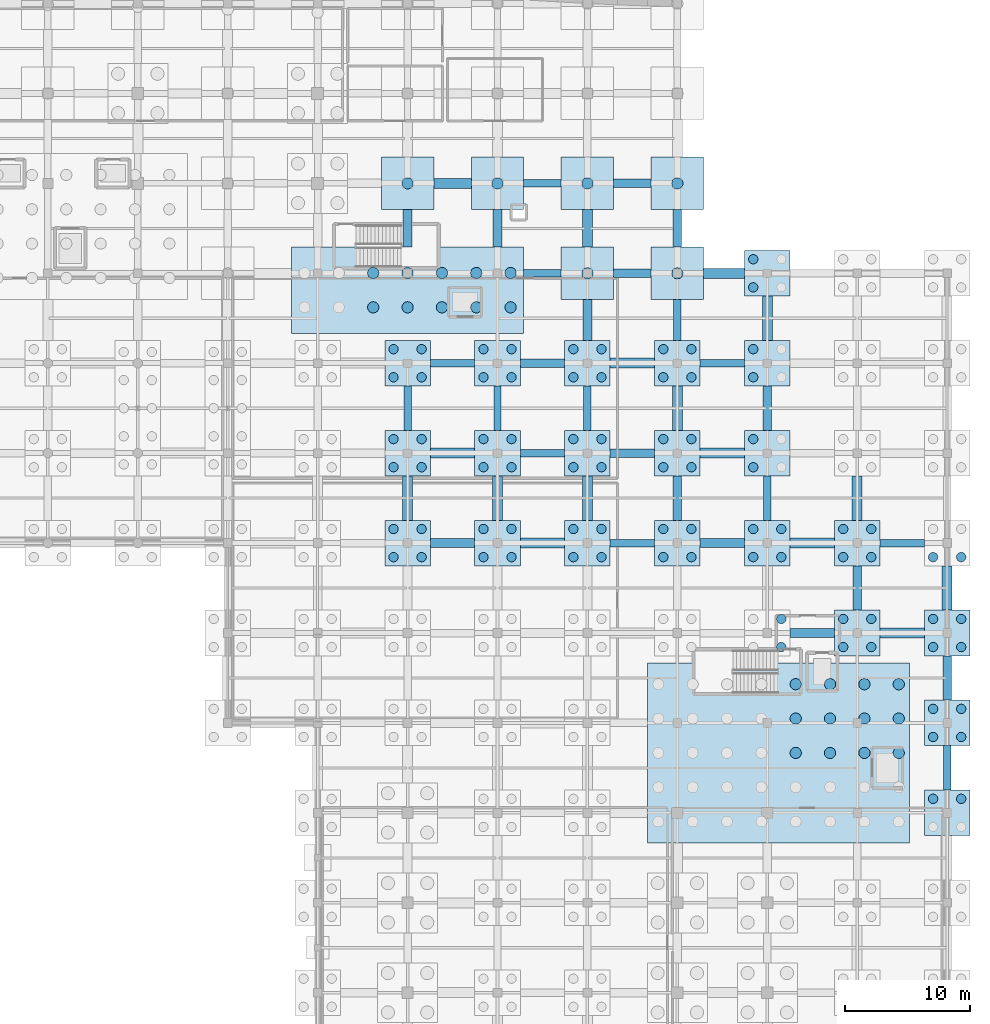
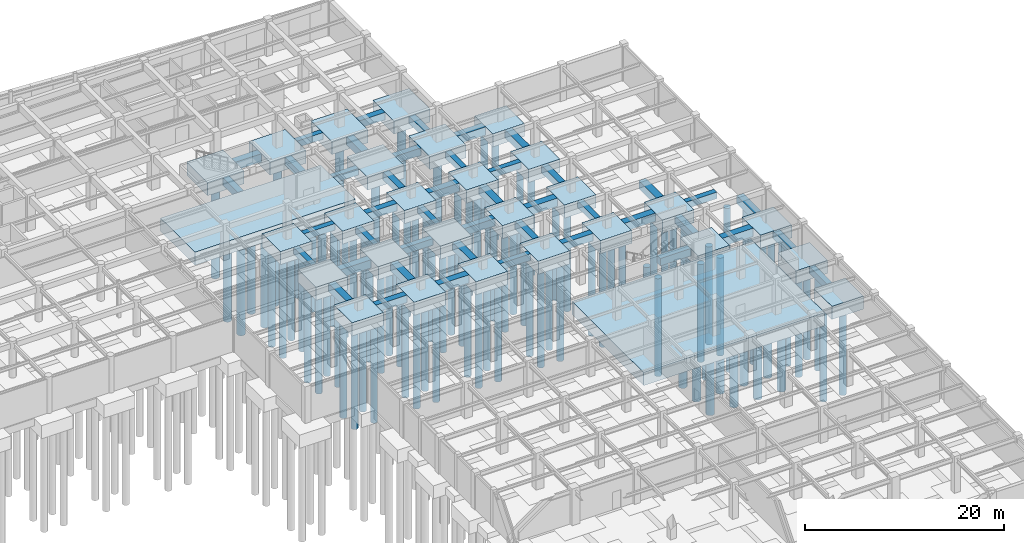
# One storey, part 11 of 48: 108 piles, 73 footings.
"""IFC4 building model written with IfcOpenShell, lengths in metres."""

from ifc_helpers import new_model, si_unit, direction, frame, origin, origin_2d, place, context, subcontext, project, spatial, rectangle, circle, extrude, material, material_profile, profile_set, type_object, element, save


model = new_model("IFC4")

# Units and contexts
model_context = context("Model", 3, precision=1e-05, world=origin(), true_north=direction((0.0, 1.0)))
body_context = subcontext(model_context, "Body", "Model", "MODEL_VIEW")
ifc_project = project(units=[si_unit("LENGTHUNIT", "METRE"), si_unit("AREAUNIT", "SQUARE_METRE"), si_unit("VOLUMEUNIT", "CUBIC_METRE"), si_unit("PLANEANGLEUNIT", "RADIAN"), si_unit("MASSUNIT", "GRAM", prefix="KILO")], contexts=[model_context])

# Site, building, storey
site_placement = place(None, origin())
site = spatial("IfcSite", under=ifc_project, at=site_placement, CompositionType="ELEMENT")
building_placement = place(site_placement, origin())
building = spatial("IfcBuilding", under=site, at=building_placement, Name="Carrowvane Square Congress Hotel", CompositionType="ELEMENT")
storey_placement = place(building_placement, frame((0.0, 0.0, -4.5)))
storey = spatial("IfcBuildingStorey", under=building, at=storey_placement, Name="B01", CompositionType="ELEMENT", Elevation=-4.5)

# Footings
ifc_material_1 = material(Name="Concrete C35/45", Category="concrete")
ifc_material_profile_1 = material_profile(ifc_material_1, rectangle(XDim=0.60009765625, YDim=0.800048828125, at=origin_2d()), Name="RC 600x800")
ifc_profile_set_1 = profile_set([ifc_material_profile_1], Name="Concrete C35/45")
footing_type_1 = type_object("IfcFootingType", Name="FTG-BM-600x800", PredefinedType="FOOTING_BEAM", material=ifc_profile_set_1)
for number, where, z_axis, x_axis, name in (
    (1, (141.199951171875, 79.22509765625, -0.39990234375), (0.0, 1.0, 0.0), (-1.0, 0.0, 0.0), "Ground tie beam 166"),
    (2, (148.39990234375, 79.22509765625, -0.39990234375), (0.0, 1.0, 0.0), (-1.0, 0.0, 0.0), "Ground tie beam 180"),
    (3, (155.60009765625, 79.22509765625, -0.39990234375), (0.0, 1.0, 0.0), (-1.0, 0.0, 0.0), "Ground tie beam 194"),
):
    element("IfcFooting", number, at=place(storey_placement, frame(where, z_axis=z_axis, x_axis=x_axis)), inside=storey, type_object=footing_type_1, Name=name, PredefinedType="FOOTING_BEAM", context=body_context, shape_type="SweptSolid", body=[
        extrude(rectangle(XDim=0.60009765625, YDim=0.800048828125, at=origin_2d()), origin(), (0.0, 0.0, 1.0), 3.5498046875),
    ])
footing_1_placement = place(storey_placement, frame((162.800048828125, 86.425048828125, -0.39990234375), z_axis=(0.0, 1.0, 0.0), x_axis=(-1.0, 0.0, 0.0)))
element("IfcFooting", 4, at=footing_1_placement, inside=storey, type_object=footing_type_1, Name="Ground tie beam 208", PredefinedType="FOOTING_BEAM", context=body_context, shape_type="SweptSolid", body=[
    extrude(rectangle(XDim=0.60009765625, YDim=0.800048828125, at=origin_2d()), origin(), (0.0, 0.0, 1.0), 3.27490234375),
])
for number, where, z_axis, x_axis, name in (
    (5, (170.0, 72.02490234375, -0.39990234375), (0.0, 1.0, 0.0), (-1.0, 0.0, 0.0), "Ground tie beam 219"),
    (6, (184.39990234375, 50.425048828125, -0.39990234375), (0.0, 1.0, 0.0), (-1.0, 0.0, 0.0), "Ground tie beam 238"),
    (7, (157.425048828125, 70.199951171875, -0.39990234375), (1.0, 0.0, 0.0), (0.0, 1.0, 0.0), "Ground tie beam 388"),
    (8, (179.02490234375, 70.199951171875, -0.39990234375), (1.0, 0.0, 0.0), (0.0, 1.0, 0.0), "Ground tie beam 391"),
):
    element("IfcFooting", number, at=place(storey_placement, frame(where, z_axis=z_axis, x_axis=x_axis)), inside=storey, type_object=footing_type_1, Name=name, PredefinedType="FOOTING_BEAM", context=body_context, shape_type="SweptSolid", body=[
        extrude(rectangle(XDim=0.60009765625, YDim=0.800048828125, at=origin_2d()), origin(), (0.0, 0.0, 1.0), 3.550048828125),
    ])
footing_2_placement = place(storey_placement, frame((150.22509765625, 77.39990234375, -0.39990234375), z_axis=(1.0, 0.0, 0.0), x_axis=(0.0, 1.0, 0.0)))
element("IfcFooting", 9, at=footing_2_placement, inside=storey, type_object=footing_type_1, Name="Ground tie beam 411", PredefinedType="FOOTING_BEAM", context=body_context, shape_type="SweptSolid", body=[
    extrude(rectangle(XDim=0.60009765625, YDim=0.800048828125, at=origin_2d()), origin(), (0.0, 0.0, 1.0), 3.5498046875),
])
for number, where, z_axis, x_axis, name in (
    (10, (143.02490234375, 84.60009765625, -0.39990234375), (1.0, 0.0, 0.0), (0.0, 1.0, 0.0), "Ground tie beam 434"),
    (11, (164.625, 84.60009765625, -0.39990234375), (1.0, 0.0, 0.0), (0.0, 1.0, 0.0), "Ground tie beam 437"),
):
    element("IfcFooting", number, at=place(storey_placement, frame(where, z_axis=z_axis, x_axis=x_axis)), inside=storey, type_object=footing_type_1, Name=name, PredefinedType="FOOTING_BEAM", context=body_context, shape_type="SweptSolid", body=[
        extrude(rectangle(XDim=0.60009765625, YDim=0.800048828125, at=origin_2d()), origin(), (0.0, 0.0, 1.0), 3.550048828125),
    ])
for number, where, z_axis, x_axis, name in (
    (12, (150.5, 91.800048828125, -0.39990234375), (1.0, 0.0, 0.0), (0.0, 1.0, 0.0), "Ground tie beam 448"),
    (13, (150.5, 99.0, -0.39990234375), (1.0, 0.0, 0.0), (0.0, 1.0, 0.0), "Ground tie beam 462"),
):
    element("IfcFooting", number, at=place(storey_placement, frame(where, z_axis=z_axis, x_axis=x_axis)), inside=storey, type_object=footing_type_1, Name=name, PredefinedType="FOOTING_BEAM", context=body_context, shape_type="SweptSolid", body=[
        extrude(rectangle(XDim=0.60009765625, YDim=0.800048828125, at=origin_2d()), origin(), (0.0, 0.0, 1.0), 3.0),
    ])
ifc_material_2 = material(Name="Concrete C35/45", Category="concrete")
ifc_material_profile_2 = material_profile(ifc_material_2, rectangle(XDim=0.699951171875, YDim=0.89990234375, at=origin_2d()), Name="RC 700x900")
ifc_profile_set_2 = profile_set([ifc_material_profile_2], Name="Concrete C35/45")
footing_type_2 = type_object("IfcFootingType", Name="FTG-BM-700x900", PredefinedType="FOOTING_BEAM", material=ifc_profile_set_2)
for number, where, z_axis, x_axis, name in (
    (14, (141.199951171875, 93.89990234375, -0.449951171875), (0.0, 1.0, 0.0), (-1.0, 0.0, 0.0), "Ground tie beam 167"),
    (15, (148.39990234375, 93.89990234375, -0.449951171875), (0.0, 1.0, 0.0), (-1.0, 0.0, 0.0), "Ground tie beam 181"),
):
    element("IfcFooting", number, at=place(storey_placement, frame(where, z_axis=z_axis, x_axis=x_axis)), inside=storey, type_object=footing_type_2, Name=name, PredefinedType="FOOTING_BEAM", context=body_context, shape_type="SweptSolid", body=[
        extrude(rectangle(XDim=0.699951171875, YDim=0.89990234375, at=origin_2d()), origin(), (0.0, 0.0, 1.0), 3.0),
    ])
footing_3_placement = place(storey_placement, frame((155.60009765625, 86.425048828125, -0.449951171875), z_axis=(0.0, 1.0, 0.0), x_axis=(-1.0, 0.0, 0.0)))
element("IfcFooting", 16, at=footing_3_placement, inside=storey, type_object=footing_type_2, Name="Ground tie beam 195", PredefinedType="FOOTING_BEAM", context=body_context, shape_type="SweptSolid", body=[
    extrude(rectangle(XDim=0.699951171875, YDim=0.89990234375, at=origin_2d()), origin(), (0.0, 0.0, 1.0), 3.27490234375),
])
footing_4_placement = place(storey_placement, frame((162.800048828125, 72.02490234375, -0.449951171875), z_axis=(0.0, 1.0, 0.0), x_axis=(-1.0, 0.0, 0.0)))
element("IfcFooting", 17, at=footing_4_placement, inside=storey, type_object=footing_type_2, Name="Ground tie beam 206", PredefinedType="FOOTING_BEAM", context=body_context, shape_type="SweptSolid", body=[
    extrude(rectangle(XDim=0.699951171875, YDim=0.89990234375, at=origin_2d()), origin(), (0.0, 0.0, 1.0), 3.550048828125),
])
footing_5_placement = place(storey_placement, frame((162.800048828125, 93.89990234375, -0.449951171875), z_axis=(0.0, 1.0, 0.0), x_axis=(-1.0, 0.0, 0.0)))
element("IfcFooting", 18, at=footing_5_placement, inside=storey, type_object=footing_type_2, Name="Ground tie beam 209", PredefinedType="FOOTING_BEAM", context=body_context, shape_type="SweptSolid", body=[
    extrude(rectangle(XDim=0.699951171875, YDim=0.89990234375, at=origin_2d()), origin(), (0.0, 0.0, 1.0), 3.0),
])
footing_6_placement = place(storey_placement, frame((170.0, 79.22509765625, -0.449951171875), z_axis=(0.0, 1.0, 0.0), x_axis=(-1.0, 0.0, 0.0)))
element("IfcFooting", 19, at=footing_6_placement, inside=storey, type_object=footing_type_2, Name="Ground tie beam 220", PredefinedType="FOOTING_BEAM", context=body_context, shape_type="SweptSolid", body=[
    extrude(rectangle(XDim=0.699951171875, YDim=0.89990234375, at=origin_2d()), origin(), (0.0, 0.0, 1.0), 3.5498046875),
])
for number, where, z_axis, x_axis, name in (
    (20, (177.199951171875, 64.824951171875, -0.449951171875), (0.0, 1.0, 0.0), (-1.0, 0.0, 0.0), "Ground tie beam 228"),
    (21, (184.39990234375, 57.625, -0.449951171875), (0.0, 1.0, 0.0), (-1.0, 0.0, 0.0), "Ground tie beam 239"),
    (22, (171.824951171875, 63.0, -0.449951171875), (1.0, 0.0, 0.0), (0.0, 1.0, 0.0), "Ground tie beam 366"),
    (23, (143.02490234375, 70.199951171875, -0.449951171875), (1.0, 0.0, 0.0), (0.0, 1.0, 0.0), "Ground tie beam 386"),
    (24, (164.625, 70.199951171875, -0.449951171875), (1.0, 0.0, 0.0), (0.0, 1.0, 0.0), "Ground tie beam 389"),
    (25, (157.425048828125, 77.39990234375, -0.449951171875), (1.0, 0.0, 0.0), (0.0, 1.0, 0.0), "Ground tie beam 412"),
):
    element("IfcFooting", number, at=place(storey_placement, frame(where, z_axis=z_axis, x_axis=x_axis)), inside=storey, type_object=footing_type_2, Name=name, PredefinedType="FOOTING_BEAM", context=body_context, shape_type="SweptSolid", body=[
        extrude(rectangle(XDim=0.699951171875, YDim=0.89990234375, at=origin_2d()), origin(), (0.0, 0.0, 1.0), 3.550048828125),
    ])
footing_7_placement = place(storey_placement, frame((150.22509765625, 84.60009765625, -0.449951171875), z_axis=(1.0, 0.0, 0.0), x_axis=(0.0, 1.0, 0.0)))
element("IfcFooting", 26, at=footing_7_placement, inside=storey, type_object=footing_type_2, Name="Ground tie beam 435", PredefinedType="FOOTING_BEAM", context=body_context, shape_type="SweptSolid", body=[
    extrude(rectangle(XDim=0.699951171875, YDim=0.89990234375, at=origin_2d()), origin(), (0.0, 0.0, 1.0), 3.5498046875),
])
for number, where, z_axis, x_axis, name in (
    (27, (157.699951171875, 91.800048828125, -0.449951171875), (1.0, 0.0, 0.0), (0.0, 1.0, 0.0), "Ground tie beam 449"),
    (28, (157.699951171875, 99.0, -0.449951171875), (1.0, 0.0, 0.0), (0.0, 1.0, 0.0), "Ground tie beam 463"),
):
    element("IfcFooting", number, at=place(storey_placement, frame(where, z_axis=z_axis, x_axis=x_axis)), inside=storey, type_object=footing_type_2, Name=name, PredefinedType="FOOTING_BEAM", context=body_context, shape_type="SweptSolid", body=[
        extrude(rectangle(XDim=0.699951171875, YDim=0.89990234375, at=origin_2d()), origin(), (0.0, 0.0, 1.0), 3.0),
    ])
ifc_material_3 = material(Name="Concrete C35/45", Category="concrete")
ifc_material_profile_3 = material_profile(ifc_material_3, rectangle(XDim=0.800048828125, YDim=1.0, at=origin_2d()), Name="RC 800x1000")
ifc_profile_set_3 = profile_set([ifc_material_profile_3], Name="Concrete C35/45")
footing_type_3 = type_object("IfcFootingType", Name="FTG-BM-800x1000", PredefinedType="FOOTING_BEAM", material=ifc_profile_set_3)
for number, where, z_axis, x_axis, name in (
    (29, (141.199951171875, 72.02490234375, -0.5), (0.0, 1.0, 0.0), (-1.0, 0.0, 0.0), "Ground tie beam 165"),
    (30, (148.39990234375, 72.02490234375, -0.5), (0.0, 1.0, 0.0), (-1.0, 0.0, 0.0), "Ground tie beam 179"),
    (31, (155.60009765625, 72.02490234375, -0.5), (0.0, 1.0, 0.0), (-1.0, 0.0, 0.0), "Ground tie beam 193"),
):
    element("IfcFooting", number, at=place(storey_placement, frame(where, z_axis=z_axis, x_axis=x_axis)), inside=storey, type_object=footing_type_3, Name=name, PredefinedType="FOOTING_BEAM", context=body_context, shape_type="SweptSolid", body=[
        extrude(rectangle(XDim=0.800048828125, YDim=1.0, at=origin_2d()), origin(), (0.0, 0.0, 1.0), 3.550048828125),
    ])
footing_8_placement = place(storey_placement, frame((155.60009765625, 93.89990234375, -0.5), z_axis=(0.0, 1.0, 0.0), x_axis=(-1.0, 0.0, 0.0)))
element("IfcFooting", 32, at=footing_8_placement, inside=storey, type_object=footing_type_3, Name="Ground tie beam 196", PredefinedType="FOOTING_BEAM", context=body_context, shape_type="SweptSolid", body=[
    extrude(rectangle(XDim=0.800048828125, YDim=1.0, at=origin_2d()), origin(), (0.0, 0.0, 1.0), 3.0),
])
footing_9_placement = place(storey_placement, frame((162.800048828125, 79.22509765625, -0.5), z_axis=(0.0, 1.0, 0.0), x_axis=(-1.0, 0.0, 0.0)))
element("IfcFooting", 33, at=footing_9_placement, inside=storey, type_object=footing_type_3, Name="Ground tie beam 207", PredefinedType="FOOTING_BEAM", context=body_context, shape_type="SweptSolid", body=[
    extrude(rectangle(XDim=0.800048828125, YDim=1.0, at=origin_2d()), origin(), (0.0, 0.0, 1.0), 3.5498046875),
])
for number, where, z_axis, x_axis, name in (
    (34, (170.0, 86.425048828125, -0.5), (0.0, 1.0, 0.0), (-1.0, 0.0, 0.0), "Ground tie beam 221"),
    (35, (177.199951171875, 72.02490234375, -0.5), (0.0, 1.0, 0.0), (-1.0, 0.0, 0.0), "Ground tie beam 229"),
    (36, (184.39990234375, 64.824951171875, -0.5), (0.0, 1.0, 0.0), (-1.0, 0.0, 0.0), "Ground tie beam 240"),
    (37, (179.02490234375, 63.0, -0.5), (1.0, 0.0, 0.0), (0.0, 1.0, 0.0), "Ground tie beam 367"),
):
    element("IfcFooting", number, at=place(storey_placement, frame(where, z_axis=z_axis, x_axis=x_axis)), inside=storey, type_object=footing_type_3, Name=name, PredefinedType="FOOTING_BEAM", context=body_context, shape_type="SweptSolid", body=[
        extrude(rectangle(XDim=0.800048828125, YDim=1.0, at=origin_2d()), origin(), (0.0, 0.0, 1.0), 3.550048828125),
    ])
footing_10_placement = place(storey_placement, frame((150.22509765625, 70.199951171875, -0.5), z_axis=(1.0, 0.0, 0.0), x_axis=(0.0, 1.0, 0.0)))
element("IfcFooting", 38, at=footing_10_placement, inside=storey, type_object=footing_type_3, Name="Ground tie beam 387", PredefinedType="FOOTING_BEAM", context=body_context, shape_type="SweptSolid", body=[
    extrude(rectangle(XDim=0.800048828125, YDim=1.0, at=origin_2d()), origin(), (0.0, 0.0, 1.0), 3.5498046875),
])
for number, where, z_axis, x_axis, name in (
    (39, (171.824951171875, 70.199951171875, -0.5), (1.0, 0.0, 0.0), (0.0, 1.0, 0.0), "Ground tie beam 390"),
    (40, (143.02490234375, 77.39990234375, -0.5), (1.0, 0.0, 0.0), (0.0, 1.0, 0.0), "Ground tie beam 410"),
    (41, (164.625, 77.39990234375, -0.5), (1.0, 0.0, 0.0), (0.0, 1.0, 0.0), "Ground tie beam 413"),
    (42, (157.425048828125, 84.60009765625, -0.5), (1.0, 0.0, 0.0), (0.0, 1.0, 0.0), "Ground tie beam 436"),
):
    element("IfcFooting", number, at=place(storey_placement, frame(where, z_axis=z_axis, x_axis=x_axis)), inside=storey, type_object=footing_type_3, Name=name, PredefinedType="FOOTING_BEAM", context=body_context, shape_type="SweptSolid", body=[
        extrude(rectangle(XDim=0.800048828125, YDim=1.0, at=origin_2d()), origin(), (0.0, 0.0, 1.0), 3.550048828125),
    ])
footing_11_placement = place(storey_placement, frame((164.89990234375, 91.800048828125, -0.5), z_axis=(1.0, 0.0, 0.0), x_axis=(0.0, 1.0, 0.0)))
element("IfcFooting", 43, at=footing_11_placement, inside=storey, type_object=footing_type_3, Name="Ground tie beam 450", PredefinedType="FOOTING_BEAM", context=body_context, shape_type="SweptSolid", body=[
    extrude(rectangle(XDim=0.800048828125, YDim=1.0, at=origin_2d()), origin(), (0.0, 0.0, 1.0), 3.275146484375),
])
footing_12_placement = place(storey_placement, frame((143.300048828125, 99.0, -0.5), z_axis=(1.0, 0.0, 0.0), x_axis=(0.0, 1.0, 0.0)))
element("IfcFooting", 44, at=footing_12_placement, inside=storey, type_object=footing_type_3, Name="Ground tie beam 461", PredefinedType="FOOTING_BEAM", context=body_context, shape_type="SweptSolid", body=[
    extrude(rectangle(XDim=0.800048828125, YDim=1.0, at=origin_2d()), origin(), (0.0, 0.0, 1.0), 3.0),
])
ifc_material_4 = material(Name="Concrete C35/45", Category="concrete")
footing_type_4 = type_object("IfcFootingType", Name="FTG-PC-02", PredefinedType="PILE_CAP", material=ifc_material_4)
for number, where, z_axis, x_axis, name in (
    (45, (184.39990234375, 48.60009765625, -1.60009765625), (0.0, 0.0, 1.0), (1.0, 0.0, 0.0), "B01 PC-2 110"),
    (46, (184.39990234375, 55.800048828125, -1.60009765625), (0.0, 0.0, 1.0), (1.0, 0.0, 0.0), "B01 PC-2 125"),
    (47, (177.199951171875, 63.0, -1.60009765625), (0.0, 0.0, 1.0), (1.0, 0.0, 0.0), "B01 PC-2 142"),
    (48, (184.39990234375, 63.0, -1.60009765625), (0.0, 0.0, 1.0), (1.0, 0.0, 0.0), "B01 PC-2 143"),
    (49, (141.199951171875, 70.199951171875, -1.60009765625), (0.0, 0.0, 1.0), (1.0, 0.0, 0.0), "B01 PC-2 162"),
    (50, (148.39990234375, 70.199951171875, -1.60009765625), (0.0, 0.0, 1.0), (1.0, 0.0, 0.0), "B01 PC-2 163"),
    (51, (155.60009765625, 70.199951171875, -1.60009765625), (0.0, 0.0, 1.0), (1.0, 0.0, 0.0), "B01 PC-2 164"),
    (52, (162.800048828125, 70.199951171875, -1.60009765625), (0.0, 0.0, 1.0), (1.0, 0.0, 0.0), "B01 PC-2 165"),
    (53, (170.0, 70.199951171875, -1.60009765625), (0.0, 0.0, 1.0), (1.0, 0.0, 0.0), "B01 PC-2 166"),
    (54, (177.199951171875, 70.199951171875, -1.60009765625), (0.0, 0.0, 1.0), (1.0, 0.0, 0.0), "B01 PC-2 167"),
    (55, (141.199951171875, 77.39990234375, -1.60009765625), (0.0, 0.0, 1.0), (1.0, 0.0, 0.0), "B01 PC-2 187"),
    (56, (148.39990234375, 77.39990234375, -1.60009765625), (0.0, 0.0, 1.0), (1.0, 0.0, 0.0), "B01 PC-2 188"),
    (57, (155.60009765625, 77.39990234375, -1.60009765625), (0.0, 0.0, 1.0), (1.0, 0.0, 0.0), "B01 PC-2 189"),
    (58, (162.800048828125, 77.39990234375, -1.60009765625), (0.0, 0.0, 1.0), (1.0, 0.0, 0.0), "B01 PC-2 190"),
    (59, (170.0, 77.39990234375, -1.60009765625), (0.0, 0.0, 1.0), (1.0, 0.0, 0.0), "B01 PC-2 191"),
    (60, (141.199951171875, 84.60009765625, -1.60009765625), (0.0, 0.0, 1.0), (1.0, 0.0, 0.0), "B01 PC-2 208"),
    (61, (148.39990234375, 84.60009765625, -1.60009765625), (0.0, 0.0, 1.0), (1.0, 0.0, 0.0), "B01 PC-2 209"),
    (62, (155.60009765625, 84.60009765625, -1.60009765625), (0.0, 0.0, 1.0), (1.0, 0.0, 0.0), "B01 PC-2 210"),
    (63, (162.800048828125, 84.60009765625, -1.60009765625), (0.0, 0.0, 1.0), (1.0, 0.0, 0.0), "B01 PC-2 211"),
    (64, (170.0, 84.60009765625, -1.60009765625), (0.0, 0.0, 1.0), (1.0, 0.0, 0.0), "B01 PC-2 212"),
    (65, (170.0, 91.800048828125, -1.60009765625), (0.0, 0.0, 1.0), (1.0, 0.0, 0.0), "B01 PC-2 227"),
):
    element("IfcFooting", number, at=place(storey_placement, frame(where, z_axis=z_axis, x_axis=x_axis)), inside=storey, type_object=footing_type_4, Name=name, PredefinedType="PILE_CAP", context=body_context, shape_type="SweptSolid", body=[
        extrude(rectangle(XDim=3.64990234375, YDim=3.64990234375, at=origin_2d()), origin(), (0.0, 0.0, 1.0), 1.60009765625),
    ])
ifc_material_5 = material(Name="Concrete C35/45", Category="concrete")
footing_type_5 = type_object("IfcFootingType", Name="FTG-PC-04", PredefinedType="PILE_CAP", material=ifc_material_5)
for number, where, z_axis, x_axis, name in (
    (66, (155.60009765625, 91.800048828125, -1.60009765625), (0.0, 0.0, 1.0), (1.0, 0.0, 0.0), "B01 PC-4 222"),
    (67, (162.800048828125, 91.800048828125, -1.60009765625), (0.0, 0.0, 1.0), (1.0, 0.0, 0.0), "B01 PC-4 223"),
    (68, (141.199951171875, 99.0, -1.60009765625), (0.0, 0.0, 1.0), (1.0, 0.0, 0.0), "B01 PC-4 237"),
    (69, (148.39990234375, 99.0, -1.60009765625), (0.0, 0.0, 1.0), (1.0, 0.0, 0.0), "B01 PC-4 238"),
    (70, (155.60009765625, 99.0, -1.60009765625), (0.0, 0.0, 1.0), (1.0, 0.0, 0.0), "B01 PC-4 239"),
    (71, (162.800048828125, 99.0, -1.60009765625), (0.0, 0.0, 1.0), (1.0, 0.0, 0.0), "B01 PC-4 240"),
):
    element("IfcFooting", number, at=place(storey_placement, frame(where, z_axis=z_axis, x_axis=x_axis)), inside=storey, type_object=footing_type_5, Name=name, PredefinedType="PILE_CAP", context=body_context, shape_type="SweptSolid", body=[
        extrude(rectangle(XDim=4.199951171875, YDim=4.199951171875, at=origin_2d()), origin(), (0.0, 0.0, 1.0), 1.60009765625),
    ])
ifc_material_6 = material(Name="Concrete C35/45", Category="concrete")
footing_type_6 = type_object("IfcFootingType", Name="FTG-RAFT-01", PredefinedType="PILE_CAP", material=ifc_material_6)
footing_13_placement = place(storey_placement, frame((170.89990234375, 53.39990234375, -1.60009765625), z_axis=(0.0, 0.0, 1.0), x_axis=(1.0, 0.0, 0.0)))
element("IfcFooting", 72, at=footing_13_placement, inside=storey, type_object=footing_type_6, Name="B01 RF-1 100", PredefinedType="PILE_CAP", context=body_context, shape_type="SweptSolid", body=[
    extrude(rectangle(XDim=21.0, YDim=14.39990234375, at=origin_2d()), origin(), (0.0, 0.0, 1.0), 1.60009765625),
])
ifc_material_7 = material(Name="Concrete C35/45", Category="concrete")
footing_type_7 = type_object("IfcFootingType", Name="FTG-RAFT-02", PredefinedType="PILE_CAP", material=ifc_material_7)
footing_14_placement = place(storey_placement, frame((141.199951171875, 90.449951171875, -1.60009765625), z_axis=(0.0, 0.0, 1.0), x_axis=(1.0, 0.0, 0.0)))
element("IfcFooting", 73, at=footing_14_placement, inside=storey, type_object=footing_type_7, Name="B01 RF-2 216", PredefinedType="PILE_CAP", context=body_context, shape_type="SweptSolid", body=[
    extrude(rectangle(XDim=18.60009765625, YDim=6.89990234375, at=origin_2d()), origin(), (0.0, 0.0, 1.0), 1.60009765625),
])

# Piles
ifc_material_8 = material(Name="Concrete C35/45", Category="concrete")
ifc_material_profile_4 = material_profile(ifc_material_8, circle(Radius=0.375, at=origin_2d()), Name="PILE D750")
ifc_profile_set_4 = profile_set([ifc_material_profile_4], Name="Concrete C35/45")
pile_type_1 = type_object("IfcPileType", Name="PILE-B-750", PredefinedType="BORED", material=ifc_profile_set_4)
for number, where, z_axis, x_axis, name in (
    (74, (183.27490234375, 49.72509765625, -1.5), (0.0, 0.0, -1.0), (1.0, 0.0, 0.0), "Bored pile P-1-0474"),
    (75, (185.52490234375, 49.72509765625, -1.5), (0.0, 0.0, -1.0), (1.0, 0.0, 0.0), "Bored pile P-1-0476"),
    (76, (183.27490234375, 54.675048828125, -1.5), (0.0, 0.0, -1.0), (1.0, 0.0, 0.0), "Bored pile P-1-0533"),
    (77, (183.27490234375, 56.925048828125, -1.5), (0.0, 0.0, -1.0), (1.0, 0.0, 0.0), "Bored pile P-1-0534"),
    (78, (185.52490234375, 54.675048828125, -1.5), (0.0, 0.0, -1.0), (1.0, 0.0, 0.0), "Bored pile P-1-0535"),
    (79, (185.52490234375, 56.925048828125, -1.5), (0.0, 0.0, -1.0), (1.0, 0.0, 0.0), "Bored pile P-1-0536"),
    (80, (171.125, 61.875, -1.5), (0.0, 0.0, -1.0), (1.0, 0.0, 0.0), "Bored pile P-1-0599"),
    (81, (171.125, 64.125, -1.5), (0.0, 0.0, -1.0), (1.0, 0.0, 0.0), "Bored pile P-1-0600"),
    (82, (176.074951171875, 61.875, -1.5), (0.0, 0.0, -1.0), (1.0, 0.0, 0.0), "Bored pile P-1-0601"),
    (83, (176.074951171875, 64.125, -1.5), (0.0, 0.0, -1.0), (1.0, 0.0, 0.0), "Bored pile P-1-0602"),
    (84, (178.324951171875, 61.875, -1.5), (0.0, 0.0, -1.0), (1.0, 0.0, 0.0), "Bored pile P-1-0603"),
    (85, (178.324951171875, 64.125, -1.5), (0.0, 0.0, -1.0), (1.0, 0.0, 0.0), "Bored pile P-1-0604"),
    (86, (183.27490234375, 61.875, -1.5), (0.0, 0.0, -1.0), (1.0, 0.0, 0.0), "Bored pile P-1-0605"),
    (87, (183.27490234375, 64.125, -1.5), (0.0, 0.0, -1.0), (1.0, 0.0, 0.0), "Bored pile P-1-0606"),
    (88, (185.52490234375, 61.875, -1.5), (0.0, 0.0, -1.0), (1.0, 0.0, 0.0), "Bored pile P-1-0607"),
    (89, (185.52490234375, 64.125, -1.5), (0.0, 0.0, -1.0), (1.0, 0.0, 0.0), "Bored pile P-1-0608"),
    (90, (140.074951171875, 69.074951171875, -1.5), (0.0, 0.0, -1.0), (1.0, 0.0, 0.0), "Bored pile P-1-0681"),
    (91, (140.074951171875, 71.324951171875, -1.5), (0.0, 0.0, -1.0), (1.0, 0.0, 0.0), "Bored pile P-1-0682"),
    (92, (142.324951171875, 69.074951171875, -1.5), (0.0, 0.0, -1.0), (1.0, 0.0, 0.0), "Bored pile P-1-0683"),
    (93, (142.324951171875, 71.324951171875, -1.5), (0.0, 0.0, -1.0), (1.0, 0.0, 0.0), "Bored pile P-1-0684"),
    (94, (147.27490234375, 69.074951171875, -1.5), (0.0, 0.0, -1.0), (1.0, 0.0, 0.0), "Bored pile P-1-0685"),
    (95, (147.27490234375, 71.324951171875, -1.5), (0.0, 0.0, -1.0), (1.0, 0.0, 0.0), "Bored pile P-1-0686"),
    (96, (149.52490234375, 69.074951171875, -1.5), (0.0, 0.0, -1.0), (1.0, 0.0, 0.0), "Bored pile P-1-0687"),
    (97, (149.52490234375, 71.324951171875, -1.5), (0.0, 0.0, -1.0), (1.0, 0.0, 0.0), "Bored pile P-1-0688"),
    (98, (154.47509765625, 69.074951171875, -1.5), (0.0, 0.0, -1.0), (1.0, 0.0, 0.0), "Bored pile P-1-0689"),
    (99, (154.47509765625, 71.324951171875, -1.5), (0.0, 0.0, -1.0), (1.0, 0.0, 0.0), "Bored pile P-1-0690"),
    (100, (156.72509765625, 69.074951171875, -1.5), (0.0, 0.0, -1.0), (1.0, 0.0, 0.0), "Bored pile P-1-0691"),
    (101, (156.72509765625, 71.324951171875, -1.5), (0.0, 0.0, -1.0), (1.0, 0.0, 0.0), "Bored pile P-1-0692"),
    (102, (161.675048828125, 69.074951171875, -1.5), (0.0, 0.0, -1.0), (1.0, 0.0, 0.0), "Bored pile P-1-0693"),
    (103, (161.675048828125, 71.324951171875, -1.5), (0.0, 0.0, -1.0), (1.0, 0.0, 0.0), "Bored pile P-1-0694"),
    (104, (163.925048828125, 69.074951171875, -1.5), (0.0, 0.0, -1.0), (1.0, 0.0, 0.0), "Bored pile P-1-0695"),
    (105, (163.925048828125, 71.324951171875, -1.5), (0.0, 0.0, -1.0), (1.0, 0.0, 0.0), "Bored pile P-1-0696"),
    (106, (168.875, 69.074951171875, -1.5), (0.0, 0.0, -1.0), (1.0, 0.0, 0.0), "Bored pile P-1-0697"),
    (107, (168.875, 71.324951171875, -1.5), (0.0, 0.0, -1.0), (1.0, 0.0, 0.0), "Bored pile P-1-0698"),
    (108, (171.125, 69.074951171875, -1.5), (0.0, 0.0, -1.0), (1.0, 0.0, 0.0), "Bored pile P-1-0699"),
    (109, (171.125, 71.324951171875, -1.5), (0.0, 0.0, -1.0), (1.0, 0.0, 0.0), "Bored pile P-1-0700"),
    (110, (176.074951171875, 69.074951171875, -1.5), (0.0, 0.0, -1.0), (1.0, 0.0, 0.0), "Bored pile P-1-0701"),
    (111, (176.074951171875, 71.324951171875, -1.5), (0.0, 0.0, -1.0), (1.0, 0.0, 0.0), "Bored pile P-1-0702"),
    (112, (178.324951171875, 69.074951171875, -1.5), (0.0, 0.0, -1.0), (1.0, 0.0, 0.0), "Bored pile P-1-0703"),
    (113, (178.324951171875, 71.324951171875, -1.5), (0.0, 0.0, -1.0), (1.0, 0.0, 0.0), "Bored pile P-1-0704"),
    (114, (183.27490234375, 69.074951171875, -1.5), (0.0, 0.0, -1.0), (1.0, 0.0, 0.0), "Bored pile P-1-0705"),
    (115, (185.52490234375, 69.074951171875, -1.5), (0.0, 0.0, -1.0), (1.0, 0.0, 0.0), "Bored pile P-1-0707"),
    (116, (140.074951171875, 76.27490234375, -1.5), (0.0, 0.0, -1.0), (1.0, 0.0, 0.0), "Bored pile P-1-0805"),
    (117, (140.074951171875, 78.52490234375, -1.5), (0.0, 0.0, -1.0), (1.0, 0.0, 0.0), "Bored pile P-1-0806"),
    (118, (142.324951171875, 76.27490234375, -1.5), (0.0, 0.0, -1.0), (1.0, 0.0, 0.0), "Bored pile P-1-0807"),
    (119, (142.324951171875, 78.52490234375, -1.5), (0.0, 0.0, -1.0), (1.0, 0.0, 0.0), "Bored pile P-1-0808"),
    (120, (147.27490234375, 76.27490234375, -1.5), (0.0, 0.0, -1.0), (1.0, 0.0, 0.0), "Bored pile P-1-0809"),
    (121, (147.27490234375, 78.52490234375, -1.5), (0.0, 0.0, -1.0), (1.0, 0.0, 0.0), "Bored pile P-1-0810"),
    (122, (149.52490234375, 76.27490234375, -1.5), (0.0, 0.0, -1.0), (1.0, 0.0, 0.0), "Bored pile P-1-0811"),
    (123, (149.52490234375, 78.52490234375, -1.5), (0.0, 0.0, -1.0), (1.0, 0.0, 0.0), "Bored pile P-1-0812"),
    (124, (154.47509765625, 76.27490234375, -1.5), (0.0, 0.0, -1.0), (1.0, 0.0, 0.0), "Bored pile P-1-0813"),
    (125, (154.47509765625, 78.52490234375, -1.5), (0.0, 0.0, -1.0), (1.0, 0.0, 0.0), "Bored pile P-1-0814"),
    (126, (156.72509765625, 76.27490234375, -1.5), (0.0, 0.0, -1.0), (1.0, 0.0, 0.0), "Bored pile P-1-0815"),
    (127, (156.72509765625, 78.52490234375, -1.5), (0.0, 0.0, -1.0), (1.0, 0.0, 0.0), "Bored pile P-1-0816"),
    (128, (161.675048828125, 76.27490234375, -1.5), (0.0, 0.0, -1.0), (1.0, 0.0, 0.0), "Bored pile P-1-0817"),
    (129, (161.675048828125, 78.52490234375, -1.5), (0.0, 0.0, -1.0), (1.0, 0.0, 0.0), "Bored pile P-1-0818"),
    (130, (163.925048828125, 76.27490234375, -1.5), (0.0, 0.0, -1.0), (1.0, 0.0, 0.0), "Bored pile P-1-0819"),
    (131, (163.925048828125, 78.52490234375, -1.5), (0.0, 0.0, -1.0), (1.0, 0.0, 0.0), "Bored pile P-1-0820"),
    (132, (168.875, 76.27490234375, -1.5), (0.0, 0.0, -1.0), (1.0, 0.0, 0.0), "Bored pile P-1-0821"),
    (133, (168.875, 78.52490234375, -1.5), (0.0, 0.0, -1.0), (1.0, 0.0, 0.0), "Bored pile P-1-0822"),
    (134, (140.074951171875, 83.47509765625, -1.5), (0.0, 0.0, -1.0), (1.0, 0.0, 0.0), "Bored pile P-1-0889"),
    (135, (140.074951171875, 85.72509765625, -1.5), (0.0, 0.0, -1.0), (1.0, 0.0, 0.0), "Bored pile P-1-0890"),
    (136, (142.324951171875, 83.47509765625, -1.5), (0.0, 0.0, -1.0), (1.0, 0.0, 0.0), "Bored pile P-1-0891"),
    (137, (142.324951171875, 85.72509765625, -1.5), (0.0, 0.0, -1.0), (1.0, 0.0, 0.0), "Bored pile P-1-0892"),
    (138, (147.27490234375, 83.47509765625, -1.5), (0.0, 0.0, -1.0), (1.0, 0.0, 0.0), "Bored pile P-1-0893"),
    (139, (147.27490234375, 85.72509765625, -1.5), (0.0, 0.0, -1.0), (1.0, 0.0, 0.0), "Bored pile P-1-0894"),
    (140, (149.52490234375, 83.47509765625, -1.5), (0.0, 0.0, -1.0), (1.0, 0.0, 0.0), "Bored pile P-1-0895"),
    (141, (149.52490234375, 85.72509765625, -1.5), (0.0, 0.0, -1.0), (1.0, 0.0, 0.0), "Bored pile P-1-0896"),
    (142, (154.47509765625, 83.47509765625, -1.5), (0.0, 0.0, -1.0), (1.0, 0.0, 0.0), "Bored pile P-1-0897"),
    (143, (154.47509765625, 85.72509765625, -1.5), (0.0, 0.0, -1.0), (1.0, 0.0, 0.0), "Bored pile P-1-0898"),
    (144, (156.72509765625, 83.47509765625, -1.5), (0.0, 0.0, -1.0), (1.0, 0.0, 0.0), "Bored pile P-1-0899"),
    (145, (156.72509765625, 85.72509765625, -1.5), (0.0, 0.0, -1.0), (1.0, 0.0, 0.0), "Bored pile P-1-0900"),
    (146, (161.675048828125, 83.47509765625, -1.5), (0.0, 0.0, -1.0), (1.0, 0.0, 0.0), "Bored pile P-1-0901"),
    (147, (161.675048828125, 85.72509765625, -1.5), (0.0, 0.0, -1.0), (1.0, 0.0, 0.0), "Bored pile P-1-0902"),
    (148, (163.925048828125, 83.47509765625, -1.5), (0.0, 0.0, -1.0), (1.0, 0.0, 0.0), "Bored pile P-1-0903"),
    (149, (163.925048828125, 85.72509765625, -1.5), (0.0, 0.0, -1.0), (1.0, 0.0, 0.0), "Bored pile P-1-0904"),
    (150, (168.875, 83.47509765625, -1.5), (0.0, 0.0, -1.0), (1.0, 0.0, 0.0), "Bored pile P-1-0905"),
    (151, (168.875, 85.72509765625, -1.5), (0.0, 0.0, -1.0), (1.0, 0.0, 0.0), "Bored pile P-1-0906"),
    (152, (168.875, 90.675048828125, -1.5), (0.0, 0.0, -1.0), (1.0, 0.0, 0.0), "Bored pile P-1-1038"),
    (153, (168.875, 92.925048828125, -1.5), (0.0, 0.0, -1.0), (1.0, 0.0, 0.0), "Bored pile P-1-1039"),
):
    element("IfcPile", number, at=place(storey_placement, frame(where, z_axis=z_axis, x_axis=x_axis)), inside=storey, type_object=pile_type_1, Name=name, PredefinedType="BORED", context=body_context, shape_type="SweptSolid", body=[
        extrude(circle(Radius=0.375, at=origin_2d()), origin(), (0.0, 0.0, 1.0), 12.0),
    ])
ifc_material_9 = material(Name="Concrete C35/45", Category="concrete")
ifc_material_profile_5 = material_profile(ifc_material_9, circle(Radius=0.449951171875, at=origin_2d()), Name="PILE D900")
ifc_profile_set_5 = profile_set([ifc_material_profile_5], Name="Concrete C35/45")
pile_type_2 = type_object("IfcPileType", Name="PILE-B-900", PredefinedType="BORED", material=ifc_profile_set_5)
for number, where, z_axis, x_axis, name in (
    (154, (172.27490234375, 53.39990234375, -1.5), (0.0, 0.0, -1.0), (1.0, 0.0, 0.0), "Bored pile P-2-0419"),
    (155, (172.27490234375, 56.14990234375, -1.5), (0.0, 0.0, -1.0), (1.0, 0.0, 0.0), "Bored pile P-2-0420"),
    (156, (172.27490234375, 58.89990234375, -1.5), (0.0, 0.0, -1.0), (1.0, 0.0, 0.0), "Bored pile P-2-0421"),
    (157, (175.02490234375, 53.39990234375, -1.5), (0.0, 0.0, -1.0), (1.0, 0.0, 0.0), "Bored pile P-2-0424"),
    (158, (175.02490234375, 56.14990234375, -1.5), (0.0, 0.0, -1.0), (1.0, 0.0, 0.0), "Bored pile P-2-0425"),
    (159, (175.02490234375, 58.89990234375, -1.5), (0.0, 0.0, -1.0), (1.0, 0.0, 0.0), "Bored pile P-2-0426"),
    (160, (177.77490234375, 53.39990234375, -1.5), (0.0, 0.0, -1.0), (1.0, 0.0, 0.0), "Bored pile P-2-0429"),
    (161, (177.77490234375, 56.14990234375, -1.5), (0.0, 0.0, -1.0), (1.0, 0.0, 0.0), "Bored pile P-2-0430"),
    (162, (177.77490234375, 58.89990234375, -1.5), (0.0, 0.0, -1.0), (1.0, 0.0, 0.0), "Bored pile P-2-0431"),
    (163, (180.52490234375, 53.39990234375, -1.5), (0.0, 0.0, -1.0), (1.0, 0.0, 0.0), "Bored pile P-2-0434"),
    (164, (180.52490234375, 56.14990234375, -1.5), (0.0, 0.0, -1.0), (1.0, 0.0, 0.0), "Bored pile P-2-0435"),
    (165, (180.52490234375, 58.89990234375, -1.5), (0.0, 0.0, -1.0), (1.0, 0.0, 0.0), "Bored pile P-2-0436"),
    (166, (138.449951171875, 89.074951171875, -1.5), (0.0, 0.0, -1.0), (1.0, 0.0, 0.0), "Bored pile P-2-0935"),
    (167, (138.449951171875, 91.824951171875, -1.5), (0.0, 0.0, -1.0), (1.0, 0.0, 0.0), "Bored pile P-2-0936"),
    (168, (141.199951171875, 89.074951171875, -1.5), (0.0, 0.0, -1.0), (1.0, 0.0, 0.0), "Bored pile P-2-0937"),
    (169, (141.199951171875, 91.824951171875, -1.5), (0.0, 0.0, -1.0), (1.0, 0.0, 0.0), "Bored pile P-2-0938"),
    (170, (143.949951171875, 89.074951171875, -1.5), (0.0, 0.0, -1.0), (1.0, 0.0, 0.0), "Bored pile P-2-0939"),
    (171, (143.949951171875, 91.824951171875, -1.5), (0.0, 0.0, -1.0), (1.0, 0.0, 0.0), "Bored pile P-2-0940"),
    (172, (146.699951171875, 89.074951171875, -1.5), (0.0, 0.0, -1.0), (1.0, 0.0, 0.0), "Bored pile P-2-0941"),
    (173, (146.699951171875, 91.824951171875, -1.5), (0.0, 0.0, -1.0), (1.0, 0.0, 0.0), "Bored pile P-2-0942"),
    (174, (149.449951171875, 89.074951171875, -1.5), (0.0, 0.0, -1.0), (1.0, 0.0, 0.0), "Bored pile P-2-0943"),
    (175, (149.449951171875, 91.824951171875, -1.5), (0.0, 0.0, -1.0), (1.0, 0.0, 0.0), "Bored pile P-2-0944"),
    (176, (155.60009765625, 91.800048828125, -1.5), (0.0, 0.0, -1.0), (1.0, 0.0, 0.0), "Bored pile P-2-1024"),
    (177, (162.800048828125, 91.800048828125, -1.5), (0.0, 0.0, -1.0), (1.0, 0.0, 0.0), "Bored pile P-2-1025"),
    (178, (141.199951171875, 99.0, -1.5), (0.0, 0.0, -1.0), (1.0, 0.0, 0.0), "Bored pile P-2-1063"),
    (179, (148.39990234375, 99.0, -1.5), (0.0, 0.0, -1.0), (1.0, 0.0, 0.0), "Bored pile P-2-1064"),
    (180, (155.60009765625, 99.0, -1.5), (0.0, 0.0, -1.0), (1.0, 0.0, 0.0), "Bored pile P-2-1065"),
    (181, (162.800048828125, 99.0, -1.5), (0.0, 0.0, -1.0), (1.0, 0.0, 0.0), "Bored pile P-2-1066"),
):
    element("IfcPile", number, at=place(storey_placement, frame(where, z_axis=z_axis, x_axis=x_axis)), inside=storey, type_object=pile_type_2, Name=name, PredefinedType="BORED", context=body_context, shape_type="SweptSolid", body=[
        extrude(circle(Radius=0.449951171875, at=origin_2d()), origin(), (0.0, 0.0, 1.0), 12.0),
    ])

save(model, "model.ifc")
